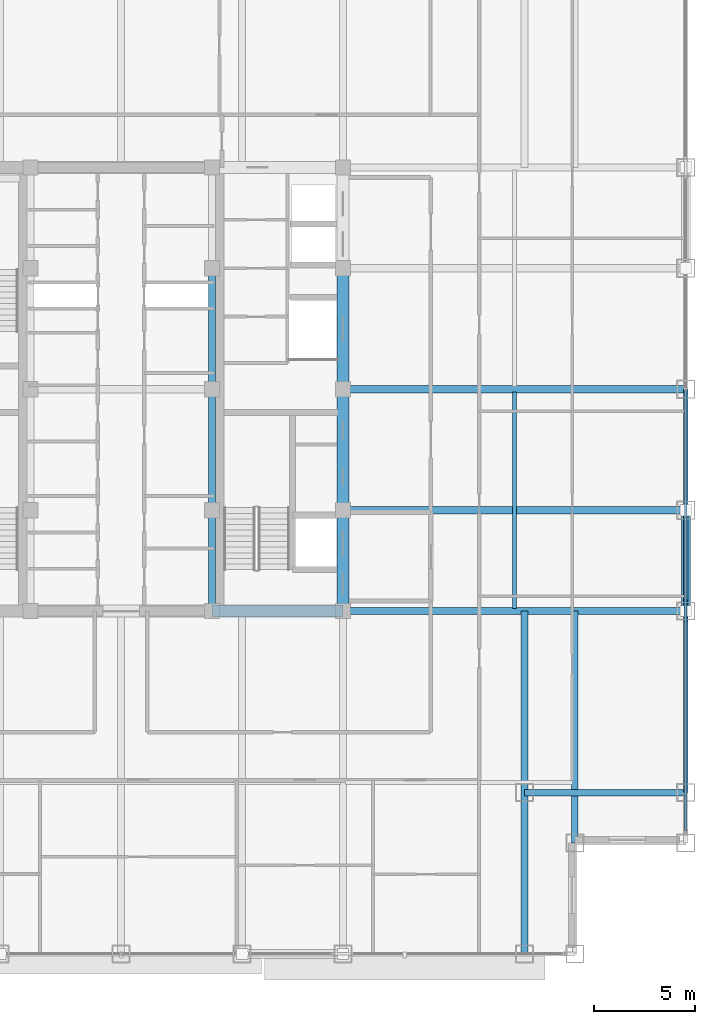
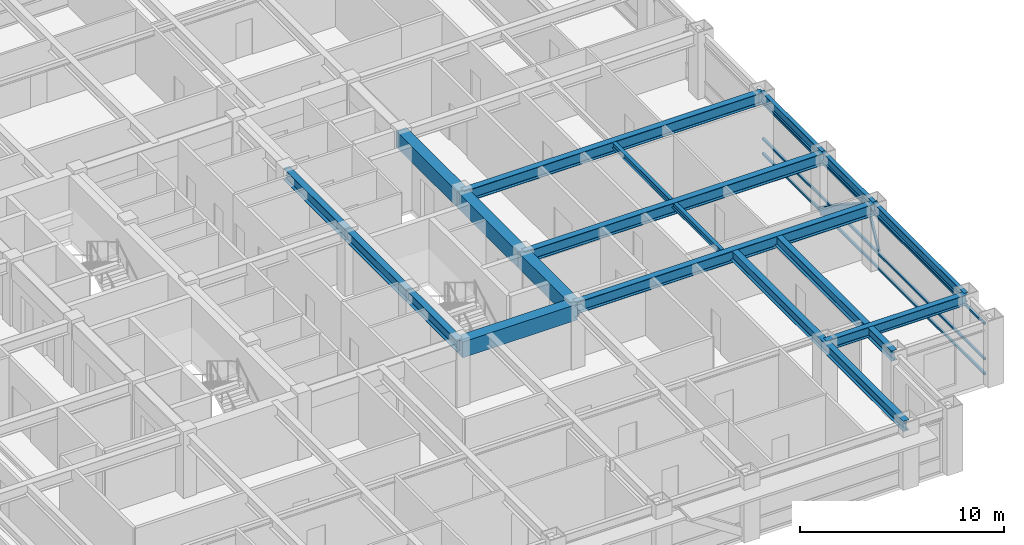
# One storey, part 9 of 29: 17 beams, 5 members, 1 element without a shape of its own.
"""IFC4 building model written with IfcOpenShell, lengths in metres."""

from ifc_helpers import new_model, si_unit, direction, frame, origin, origin_2d, place, context, subcontext, project, spatial, rectangle, hollow_rectangle, i_section, extrude, source, transform, mapped, material, material_profile, profile_set, type_object, element, aggregate, save


model = new_model("IFC4")

# Units and contexts
model_context = context("Model", 3, precision=1e-05, world=origin(), true_north=direction((0.0, 1.0)))
body_context = subcontext(model_context, "Body", "Model", "MODEL_VIEW")
ifc_project = project(units=[si_unit("LENGTHUNIT", "METRE"), si_unit("AREAUNIT", "SQUARE_METRE"), si_unit("VOLUMEUNIT", "CUBIC_METRE"), si_unit("PLANEANGLEUNIT", "RADIAN"), si_unit("MASSUNIT", "GRAM", prefix="KILO")], contexts=[model_context])

# Site, building, storey
site_placement = place(None, origin())
site = spatial("IfcSite", under=ifc_project, at=site_placement, CompositionType="ELEMENT")
building_placement = place(site_placement, origin())
building = spatial("IfcBuilding", under=site, at=building_placement, Name="Khorayat Bourse Tower", CompositionType="ELEMENT")
storey_placement = place(building_placement, frame((0.0, 0.0, 277.5)))
storey = spatial("IfcBuildingStorey", under=building, at=storey_placement, Name="L65", CompositionType="ELEMENT", Elevation=277.5)

# Beams
ifc_material_1 = material(Name="Steel ASTM A992 Grade 50", Category="steel")
ifc_material_profile_1 = material_profile(ifc_material_1, i_section(OverallWidth=0.35498046875, OverallDepth=0.695068359375, WebThickness=0.015380859375, FlangeThickness=0.02490234375, FilletRadius=0.01806640625, at=origin_2d()), Name="W690X217")
ifc_profile_set_1 = profile_set([ifc_material_profile_1], Name="Steel ASTM A992 Grade 50")
beam_type_1 = type_object("IfcBeamType", Name="BM-GIRD-690", PredefinedType="BEAM", material=ifc_profile_set_1)
shared_shape_1 = source(origin(), body_context, "Body", "SweptSolid", [
    extrude(i_section(OverallWidth=0.35498046875, OverallDepth=0.695068359375, WebThickness=0.015380859375, FlangeThickness=0.02490234375, FilletRadius=0.01806640625, at=origin_2d()), origin(), (0.0, 0.0, 1.0), 5.0),
])
beam_1_placement = place(storey_placement, frame((4.5, -11.0, 3.4326171875), z_axis=(0.0, 1.0, 0.0), x_axis=(-1.0, 0.0, 0.0)))
element("IfcBeam", 1, at=beam_1_placement, inside=storey, type_object=beam_type_1, Name="L65 BM-GIRD-690 BM-L65-CRX-09", PredefinedType="BEAM", context=body_context, shape_type="MappedRepresentation", body=[
    mapped(shared_shape_1, transform((0.0, 0.0, 0.0), scale=1.0)),
])
shared_shape_2 = source(origin(), body_context, "Body", "SweptSolid", [
    extrude(i_section(OverallWidth=0.35498046875, OverallDepth=0.695068359375, WebThickness=0.015380859375, FlangeThickness=0.02490234375, FilletRadius=0.01806640625, at=origin_2d()), origin(), (0.0, 0.0, 1.0), 6.0),
])
for number, where, z_axis, x_axis, name in (
    (2, (4.5, -6.0, 3.4326171875), (0.0, 1.0, 0.0), (-1.0, 0.0, 0.0), "L65 BM-GIRD-690 BM-L65-CRX-10"),
    (3, (4.5, 0.0, 3.4326171875), (0.0, 1.0, 0.0), (-1.0, 0.0, 0.0), "L65 BM-GIRD-690 BM-L65-CRX-11"),
):
    element("IfcBeam", number, at=place(storey_placement, frame(where, z_axis=z_axis, x_axis=x_axis)), inside=storey, type_object=beam_type_1, Name=name, PredefinedType="BEAM", context=body_context, shape_type="MappedRepresentation", body=[
        mapped(shared_shape_2, transform((0.0, 0.0, 0.0), scale=1.0)),
    ])
ifc_material_profile_2 = material_profile(ifc_material_1, i_section(OverallWidth=0.324951171875, OverallDepth=0.615966796875, WebThickness=0.013916015625, FlangeThickness=0.021484375, FilletRadius=0.01611328125, at=origin_2d()), Name="W610X174")
ifc_profile_set_2 = profile_set([ifc_material_profile_2], Name="Steel ASTM A992 Grade 50")
beam_type_2 = type_object("IfcBeamType", Name="BM-GIRD-610", PredefinedType="BEAM", material=ifc_profile_set_2)
shared_shape_3 = source(origin(), body_context, "Body", "SweptSolid", [
    extrude(i_section(OverallWidth=0.324951171875, OverallDepth=0.615966796875, WebThickness=0.013916015625, FlangeThickness=0.021484375, FilletRadius=0.01611328125, at=origin_2d()), origin(), (0.0, 0.0, 1.0), 17.0),
])
beam_2_placement = place(storey_placement, frame((20.0, -28.0, 3.471923828125), z_axis=(0.0, 1.0, 0.0), x_axis=(-1.0, 0.0, 0.0)))
element("IfcBeam", 4, at=beam_2_placement, inside=storey, type_object=beam_type_2, Name="L65 BM-GIRD-610 BM-L65-CNRY-086", PredefinedType="BEAM", context=body_context, shape_type="MappedRepresentation", body=[
    mapped(shared_shape_3, transform((0.0, 0.0, 0.0), scale=1.0)),
])
ifc_material_2 = material(Name="Concrete C60/75", Category="concrete")
ifc_material_profile_3 = material_profile(ifc_material_2, rectangle(XDim=0.60009765625, YDim=0.949951171875, at=origin_2d()), Name="RC 600x950")
ifc_profile_set_3 = profile_set([ifc_material_profile_3], Name="Concrete C60/75")
beam_type_3 = type_object("IfcBeamType", Name="BM-COUP-950", PredefinedType="BEAM", material=ifc_profile_set_3)
shared_shape_4 = source(origin(), body_context, "Body", "SweptSolid", [
    extrude(rectangle(XDim=0.60009765625, YDim=0.949951171875, at=origin_2d()), origin(), (0.0, 0.0, 1.0), 5.0),
])
beam_3_placement = place(storey_placement, frame((11.0, -11.0, 3.304931640625), z_axis=(0.0, 1.0, 0.0), x_axis=(-1.0, 0.0, 0.0)))
element("IfcBeam", 5, at=beam_3_placement, inside=storey, type_object=beam_type_3, Name="L65 BM-COUP-950 BM-L65-CRX-13", PredefinedType="BEAM", context=body_context, shape_type="MappedRepresentation", body=[
    mapped(shared_shape_4, transform((0.0, 0.0, 0.0), scale=1.0)),
])
shared_shape_5 = source(origin(), body_context, "Body", "SweptSolid", [
    extrude(rectangle(XDim=0.60009765625, YDim=0.949951171875, at=origin_2d()), origin(), (0.0, 0.0, 1.0), 6.0),
])
for number, where, z_axis, x_axis, name in (
    (6, (11.0, -6.0, 3.304931640625), (0.0, 1.0, 0.0), (-1.0, 0.0, 0.0), "L65 BM-COUP-950 BM-L65-CRX-14"),
    (7, (11.0, 0.0, 3.304931640625), (0.0, 1.0, 0.0), (-1.0, 0.0, 0.0), "L65 BM-COUP-950 BM-L65-CRX-15"),
):
    element("IfcBeam", number, at=place(storey_placement, frame(where, z_axis=z_axis, x_axis=x_axis)), inside=storey, type_object=beam_type_3, Name=name, PredefinedType="BEAM", context=body_context, shape_type="MappedRepresentation", body=[
        mapped(shared_shape_5, transform((0.0, 0.0, 0.0), scale=1.0)),
    ])
shared_shape_6 = source(origin(), body_context, "Body", "SweptSolid", [
    extrude(rectangle(XDim=0.60009765625, YDim=0.949951171875, at=origin_2d()), origin(), (0.0, 0.0, 1.0), 6.5),
])
beam_4_placement = place(storey_placement, frame((4.5, -11.0, 3.304931640625), z_axis=(1.0, 0.0, 0.0), x_axis=(0.0, 1.0, 0.0)))
element("IfcBeam", 8, at=beam_4_placement, inside=storey, type_object=beam_type_3, Name="L65 BM-COUP-950 BM-L65-CRY-19", PredefinedType="BEAM", context=body_context, shape_type="MappedRepresentation", body=[
    mapped(shared_shape_6, transform((0.0, 0.0, 0.0), scale=1.0)),
])

# Member
ifc_material_3 = material(Name="Steel EN 10025-4 S460M", Category="steel")
ifc_material_profile_4 = material_profile(ifc_material_3, hollow_rectangle(XDim=0.449951171875, YDim=0.449951171875, WallThickness=0.02490234375, at=origin_2d()), Name="HSS 450x450x25")
ifc_profile_set_4 = profile_set([ifc_material_profile_4], Name="Steel EN 10025-4 S460M")
member_type_1 = type_object("IfcMemberType", Name="MBR-TUBE-450", PredefinedType="BRACE", material=ifc_profile_set_4)
shared_shape_7 = source(origin(), body_context, "Body", "SweptSolid", [
    extrude(hollow_rectangle(XDim=0.449951171875, YDim=0.449951171875, WallThickness=0.02490234375, at=origin_2d()), origin(), (0.0, 0.0, 1.0), 5.979736328125),
])
member_1_placement = place(storey_placement, frame((28.0, -11.0, 3.530029296875), z_axis=(0.0, 0.836141536525, -0.548513747227), x_axis=(-1.0, 0.0, 0.0)))
element("IfcMember", 9, at=member_1_placement, inside=storey, type_object=member_type_1, Name="L65 Perimeter Tube Brace 07", PredefinedType="BRACE", context=body_context, shape_type="MappedRepresentation", body=[
    mapped(shared_shape_7, transform((0.0, 0.0, 0.0), scale=1.0)),
])

# Beams
shared_shape_8 = source(origin(), body_context, "Body", "SweptSolid", [
    extrude(i_section(OverallWidth=0.35498046875, OverallDepth=0.695068359375, WebThickness=0.015380859375, FlangeThickness=0.02490234375, FilletRadius=0.01806640625, at=origin_2d()), origin(), (0.0, 0.0, 1.0), 17.0),
])
for number, where, z_axis, x_axis, name in (
    (10, (11.0, -11.0, 3.4326171875), (1.0, 0.0, 0.0), (0.0, 1.0, 0.0), "L65 BM-GIRD-690 BM-L65-RADX-074"),
    (11, (11.0, -6.0, 3.4326171875), (1.0, 0.0, 0.0), (0.0, 1.0, 0.0), "L65 BM-GIRD-690 BM-L65-RADX-076"),
    (12, (11.0, 0.0, 3.4326171875), (1.0, 0.0, 0.0), (0.0, 1.0, 0.0), "L65 BM-GIRD-690 BM-L65-RADX-078"),
):
    element("IfcBeam", number, at=place(storey_placement, frame(where, z_axis=z_axis, x_axis=x_axis)), inside=storey, type_object=beam_type_1, Name=name, PredefinedType="BEAM", context=body_context, shape_type="MappedRepresentation", body=[
        mapped(shared_shape_8, transform((0.0, 0.0, 0.0), scale=1.0)),
    ])
shared_shape_9 = source(origin(), body_context, "Body", "SweptSolid", [
    extrude(i_section(OverallWidth=0.324951171875, OverallDepth=0.615966796875, WebThickness=0.013916015625, FlangeThickness=0.021484375, FilletRadius=0.01611328125, at=origin_2d()), origin(), (0.0, 0.0, 1.0), 11.5),
])
beam_5_placement = place(storey_placement, frame((22.5, -22.5, 3.471923828125), z_axis=(0.0, 1.0, 0.0), x_axis=(-1.0, 0.0, 0.0)))
element("IfcBeam", 13, at=beam_5_placement, inside=storey, type_object=beam_type_2, Name="L65 BM-GIRD-610 BM-L65-CNRY-090", PredefinedType="BEAM", context=body_context, shape_type="MappedRepresentation", body=[
    mapped(shared_shape_9, transform((0.0, 0.0, 0.0), scale=1.0)),
])
shared_shape_10 = source(origin(), body_context, "Body", "SweptSolid", [
    extrude(i_section(OverallWidth=0.324951171875, OverallDepth=0.615966796875, WebThickness=0.013916015625, FlangeThickness=0.021484375, FilletRadius=0.01611328125, at=origin_2d()), origin(), (0.0, 0.0, 1.0), 8.0),
])
beam_6_placement = place(storey_placement, frame((20.0, -20.0, 3.471923828125), z_axis=(1.0, 0.0, 0.0), x_axis=(0.0, 1.0, 0.0)))
element("IfcBeam", 14, at=beam_6_placement, inside=storey, type_object=beam_type_2, Name="L65 BM-GIRD-610 BM-L65-CNRX-092", PredefinedType="BEAM", context=body_context, shape_type="MappedRepresentation", body=[
    mapped(shared_shape_10, transform((0.0, 0.0, 0.0), scale=1.0)),
])
ifc_material_profile_5 = material_profile(ifc_material_1, i_section(OverallWidth=0.202880859375, OverallDepth=0.346923828125, WebThickness=0.0078125, FlangeThickness=0.013427734375, FilletRadius=0.010009765625, at=origin_2d()), Name="W360X64")
ifc_profile_set_5 = profile_set([ifc_material_profile_5], Name="Steel ASTM A992 Grade 50")
beam_type_4 = type_object("IfcBeamType", Name="BM-JOIST-360", PredefinedType="JOIST", material=ifc_profile_set_5)
shared_shape_11 = source(origin(), body_context, "Body", "SweptSolid", [
    extrude(i_section(OverallWidth=0.202880859375, OverallDepth=0.346923828125, WebThickness=0.0078125, FlangeThickness=0.013427734375, FilletRadius=0.010009765625, at=origin_2d()), origin(), (0.0, 0.0, 1.0), 10.740234375),
])
beam_7_placement = place(storey_placement, frame((19.5, -10.8701171875, 3.6064453125), z_axis=(0.0, 1.0, 0.0), x_axis=(-1.0, 0.0, 0.0)))
element("IfcBeam", 15, at=beam_7_placement, inside=storey, type_object=beam_type_4, Name="L65 BM-JOIST-360 BM-L65-JSTY-104", PredefinedType="JOIST", context=body_context, shape_type="MappedRepresentation", body=[
    mapped(shared_shape_11, transform((0.0, 0.0, 0.0), scale=1.0)),
])
ifc_material_profile_6 = material_profile(ifc_material_1, i_section(OverallWidth=0.214111328125, OverallDepth=0.549072265625, WebThickness=0.0146484375, FlangeThickness=0.023681640625, FilletRadius=0.013916015625, at=origin_2d()), Name="W530X138")
ifc_profile_set_6 = profile_set([ifc_material_profile_6], Name="Steel ASTM A992 Grade 50")
beam_type_5 = type_object("IfcBeamType", Name="BM-SPAN-530", PredefinedType="SPANDREL", material=ifc_profile_set_6)
shared_shape_12 = source(origin(), body_context, "Body", "SweptSolid", [
    extrude(i_section(OverallWidth=0.214111328125, OverallDepth=0.549072265625, WebThickness=0.0146484375, FlangeThickness=0.023681640625, FilletRadius=0.013916015625, at=origin_2d()), origin(), (0.0, 0.0, 1.0), 9.0),
])
beam_8_placement = place(storey_placement, frame((28.0, -20.0, 3.505615234375), z_axis=(0.0, 1.0, 0.0), x_axis=(-1.0, 0.0, 0.0)))
element("IfcBeam", 16, at=beam_8_placement, inside=storey, type_object=beam_type_5, Name="L65 BM-SPAN-530 BM-L65-SPN-035", PredefinedType="SPANDREL", context=body_context, shape_type="MappedRepresentation", body=[
    mapped(shared_shape_12, transform((0.0, 0.0, 0.0), scale=1.0)),
])
shared_shape_13 = source(origin(), body_context, "Body", "SweptSolid", [
    extrude(i_section(OverallWidth=0.214111328125, OverallDepth=0.549072265625, WebThickness=0.0146484375, FlangeThickness=0.023681640625, FilletRadius=0.013916015625, at=origin_2d()), origin(), (0.0, 0.0, 1.0), 5.0),
])
beam_9_placement = place(storey_placement, frame((28.0, -11.0, 3.505615234375), z_axis=(0.0, 1.0, 0.0), x_axis=(-1.0, 0.0, 0.0)))
element("IfcBeam", 17, at=beam_9_placement, inside=storey, type_object=beam_type_5, Name="L65 BM-SPAN-530 BM-L65-SPN-036", PredefinedType="SPANDREL", context=body_context, shape_type="MappedRepresentation", body=[
    mapped(shared_shape_13, transform((0.0, 0.0, 0.0), scale=1.0)),
])
shared_shape_14 = source(origin(), body_context, "Body", "SweptSolid", [
    extrude(i_section(OverallWidth=0.214111328125, OverallDepth=0.549072265625, WebThickness=0.0146484375, FlangeThickness=0.023681640625, FilletRadius=0.013916015625, at=origin_2d()), origin(), (0.0, 0.0, 1.0), 6.0),
])
beam_10_placement = place(storey_placement, frame((28.0, -6.0, 3.505615234375), z_axis=(0.0, 1.0, 0.0), x_axis=(-1.0, 0.0, 0.0)))
element("IfcBeam", 18, at=beam_10_placement, inside=storey, type_object=beam_type_5, Name="L65 BM-SPAN-530 BM-L65-SPN-037", PredefinedType="SPANDREL", context=body_context, shape_type="MappedRepresentation", body=[
    mapped(shared_shape_14, transform((0.0, 0.0, 0.0), scale=1.0)),
])

# Curtain wall, members
ifc_material_4 = material(Name="Aluminium EN AW-6063 T6", Category="aluminium")
curtain_wall_type = type_object("IfcCurtainWallType", Name="CW-SYS-04", PredefinedType="NOTDEFINED", material=ifc_material_4)
curtain_wall_placement = place(storey_placement, origin())
curtain_wall = element("IfcCurtainWall", 19, at=curtain_wall_placement, inside=storey, type_object=curtain_wall_type, Name="L65 Curtain Wall CW-L65-E1", PredefinedType="NOTDEFINED")
ifc_material_profile_7 = material_profile(ifc_material_4, hollow_rectangle(XDim=0.1201171875, YDim=0.1201171875, WallThickness=0.0048828125, at=origin_2d()), Name="ALU 120x120x5")
ifc_profile_set_7 = profile_set([ifc_material_profile_7], Name="Aluminium EN AW-6063 T6")
member_type_2 = type_object("IfcMemberType", Name="CWM-DIAG-120", PredefinedType="MULLION", material=ifc_profile_set_7)
shared_shape_15 = source(origin(), body_context, "Body", "SweptSolid", [
    extrude(hollow_rectangle(XDim=0.1201171875, YDim=0.1201171875, WallThickness=0.0048828125, at=origin_2d()), origin(), (0.0, 0.0, 1.0), 2.0791015625),
])
member_2_placement = place(storey_placement, frame((28.0, -11.4541015625, 1.090087890625), z_axis=(0.0, 0.465717394116, 0.884933505309), x_axis=(-1.0, 0.0, 0.0)))
member_2 = element("IfcMember", 20, at=member_2_placement, type_object=member_type_2, Name="CW-L65-E1 Faceted Diagonal Mullion 1", PredefinedType="MULLION", context=body_context, shape_type="MappedRepresentation", body=[
    mapped(shared_shape_15, transform((0.0, 0.0, 0.0), scale=1.0)),
])
ifc_material_profile_8 = material_profile(ifc_material_4, hollow_rectangle(XDim=0.1201171875, YDim=0.1201171875, WallThickness=0.0048828125, at=origin_2d()), Name="ALU 120x120x5")
ifc_profile_set_8 = profile_set([ifc_material_profile_8], Name="Aluminium EN AW-6063 T6")
member_type_3 = type_object("IfcMemberType", Name="CWT-HORZ-120", PredefinedType="USERDEFINED", material=ifc_profile_set_8)
shared_shape_16 = source(origin(), body_context, "Body", "SweptSolid", [
    extrude(hollow_rectangle(XDim=0.1201171875, YDim=0.1201171875, WallThickness=0.0048828125, at=origin_2d()), origin(), (0.0, 0.0, 1.0), 21.81982421875),
])
member_3_placement = place(storey_placement, frame((28.0, -21.8798828125, 0.06005859375), z_axis=(0.0, 1.0, 0.0), x_axis=(-1.0, 0.0, 0.0)))
member_3 = element("IfcMember", 21, at=member_3_placement, type_object=member_type_3, Name="CW-L65-E1 Horizontal Transom 1-1", ObjectType="TRANSOM", PredefinedType="USERDEFINED", context=body_context, shape_type="MappedRepresentation", body=[
    mapped(shared_shape_16, transform((0.0, 0.0, 0.0), scale=1.0)),
])
member_4_placement = place(storey_placement, frame((28.0, -21.8798828125, 0.949951171875), z_axis=(0.0, 1.0, 0.0), x_axis=(-1.0, 0.0, 0.0)))
member_4 = element("IfcMember", 22, at=member_4_placement, type_object=member_type_3, Name="CW-L65-E1 Horizontal Transom 1-2", ObjectType="TRANSOM", PredefinedType="USERDEFINED", context=body_context, shape_type="MappedRepresentation", body=[
    mapped(shared_shape_16, transform((0.0, 0.0, 0.0), scale=1.0)),
])
member_5_placement = place(storey_placement, frame((28.0, -21.8798828125, 3.070068359375), z_axis=(0.0, 1.0, 0.0), x_axis=(-1.0, 0.0, 0.0)))
member_5 = element("IfcMember", 23, at=member_5_placement, type_object=member_type_3, Name="CW-L65-E1 Horizontal Transom 1-3", ObjectType="TRANSOM", PredefinedType="USERDEFINED", context=body_context, shape_type="MappedRepresentation", body=[
    mapped(shared_shape_16, transform((0.0, 0.0, 0.0), scale=1.0)),
])
aggregate(curtain_wall, [member_3, member_4, member_5, member_2])

save(model, "model.ifc")
